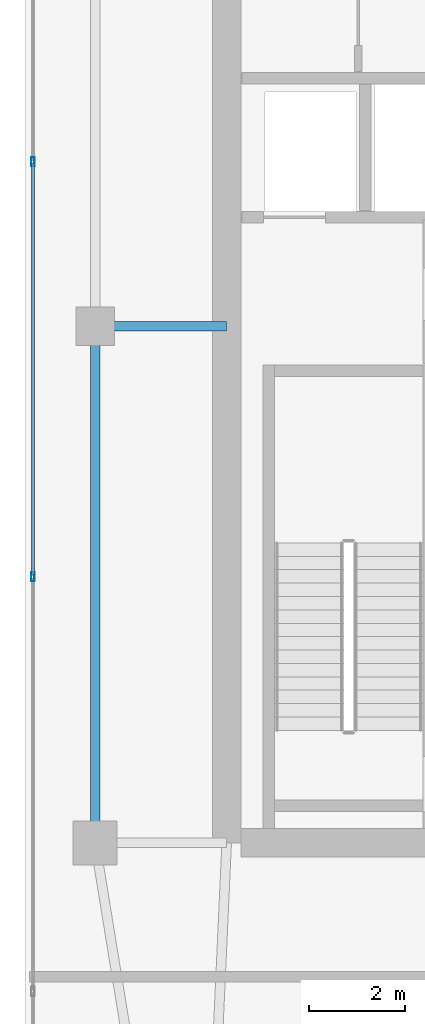
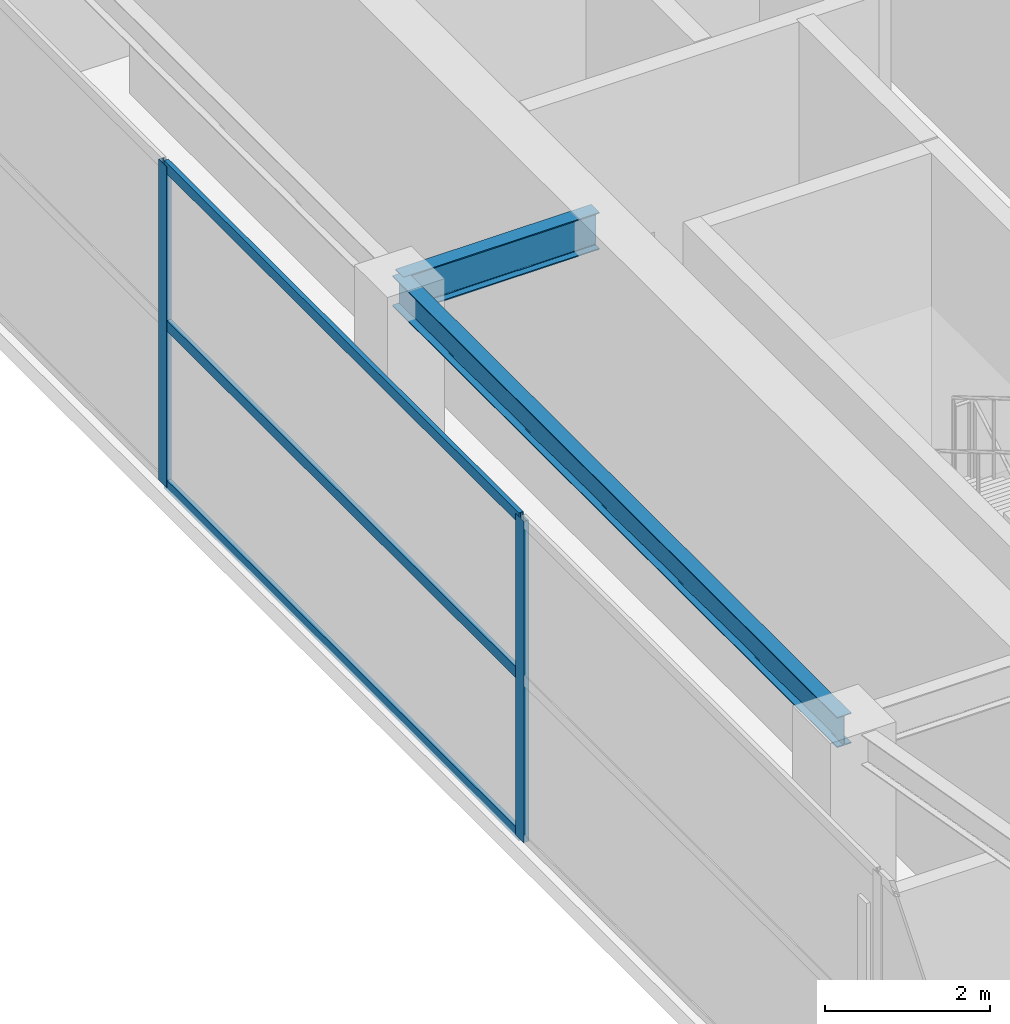
# One storey, part 9 of 20: 5 members, 2 beams, 1 element without a shape of its own.
"""IFC4 building model written with IfcOpenShell, lengths in metres."""

import ifcopenshell
import ifcopenshell.guid

model = None  # the IFC model being written
_history = None  # IfcOwnerHistory: only IFC2X3 demands one
_inside = {}  # id of a spatial element -> (the spatial element, [elements in it])
_under = {}  # id of a project, library or spatial element -> (it, [spatial elements below it])
_declared = {}  # id of a project -> (the project, [libraries it declares])
_typed = {}  # id of a type object -> (the type object, [elements of that type])
_made_of = {}  # id of a material, layer set ... -> (it, [elements and type objects made of it])


def new_model(schema):
    """Start an empty IFC model of exactly this schema.

    Asked for "IFC4X3", IfcOpenShell would pick the latest addendum, in which some entities
    have other attributes; the version numbers below select the first issue.
    IFC2X3 requires an IfcOwnerHistory on every rooted entity: one is made here for all.
    """
    global model, _history
    if schema == "IFC4X3":
        model = ifcopenshell.file(schema_version=(4, 3, 0, 0))
    else:
        model = ifcopenshell.file(schema=schema)
    _inside.clear()
    _under.clear()
    _declared.clear()
    _typed.clear()
    _made_of.clear()
    _history = None
    if model.schema == "IFC2X3":
        org = make("IfcOrganization", Name="unknown")
        user = make(
            "IfcPersonAndOrganization",
            ThePerson=make("IfcPerson", FamilyName="unknown"),
            TheOrganization=org,
        )
        app = make(
            "IfcApplication",
            ApplicationDeveloper=org,
            Version="unknown",
            ApplicationFullName="unknown",
            ApplicationIdentifier="unknown",
        )
        _history = make(
            "IfcOwnerHistory",
            OwningUser=user,
            OwningApplication=app,
            ChangeAction="ADDED",
            CreationDate=0,
        )
    return model


def make(cls, **values):
    """One entity of the class cls with the attributes given. An attribute that is None is left unset."""
    return model.create_entity(
        cls, **{name: value for name, value in values.items() if value is not None}
    )


def rooted(cls, **values):
    """An entity with a GlobalId (a new one), such as an element, a storey or a relation."""
    return make(cls, GlobalId=ifcopenshell.guid.new(), OwnerHistory=_history, **values)


def si_unit(unit_type, name, prefix=None):
    """IfcSIUnit, for example si_unit("LENGTHUNIT", "METRE", prefix="MILLI")."""
    return make("IfcSIUnit", UnitType=unit_type, Prefix=prefix, Name=name)


def assignment(units):
    """IfcUnitAssignment: the units of a project."""
    return None if units is None else make("IfcUnitAssignment", Units=units)


def point(xyz):
    """IfcCartesianPoint."""
    return None if xyz is None else make("IfcCartesianPoint", Coordinates=xyz)


def direction(xyz):
    """IfcDirection."""
    return None if xyz is None else make("IfcDirection", DirectionRatios=xyz)


def frame(location, z_axis=None, x_axis=None):
    """IfcAxis2Placement3D, a coordinate frame: its origin and axes. An axis left out is left unset."""
    return make(
        "IfcAxis2Placement3D",
        Location=point(location),
        Axis=direction(z_axis),
        RefDirection=direction(x_axis),
    )


def frame_2d(location, x_axis=None):
    """IfcAxis2Placement2D, a coordinate frame in the plane: its origin and x axis."""
    return make(
        "IfcAxis2Placement2D", Location=point(location), RefDirection=direction(x_axis)
    )


def origin():
    """The frame at (0, 0, 0) with its axes left unset."""
    return frame((0.0, 0.0, 0.0))


def origin_2d():
    """The frame at (0, 0) in the plane with its x axis left unset."""
    return frame_2d((0.0, 0.0))


def place(relative_to, where):
    """IfcLocalPlacement: puts the frame where relative to a parent placement (None: the world)."""
    return make(
        "IfcLocalPlacement", PlacementRelTo=relative_to, RelativePlacement=where
    )


def context(
    kind, dimensions, precision=None, world=None, true_north=None, identifier=None
):
    """IfcGeometricRepresentationContext, for example the 3D "Model" context."""
    return make(
        "IfcGeometricRepresentationContext",
        ContextIdentifier=identifier,
        ContextType=kind,
        CoordinateSpaceDimension=dimensions,
        Precision=precision,
        WorldCoordinateSystem=world,
        TrueNorth=true_north,
    )


def subcontext(parent, identifier, kind, view, scale=None):
    """IfcGeometricRepresentationSubContext, for example "Body" below "Model"."""
    return make(
        "IfcGeometricRepresentationSubContext",
        ContextIdentifier=identifier,
        ContextType=kind,
        ParentContext=parent,
        TargetScale=scale,
        TargetView=view,
    )


def project(units=None, contexts=None):
    """IfcProject with its units and contexts."""
    return rooted(
        "IfcProject",
        Name="project",
        RepresentationContexts=contexts,
        UnitsInContext=assignment(units),
    )


def spatial(cls, under=None, at=None, **own):
    """A site, building, storey or space (cls), placed at a placement, below another one or the project."""
    s = rooted(cls, ObjectPlacement=at, **own)
    if under is not None:
        _under.setdefault(under.id(), (under, []))[1].append(s)
    return s


def profile(cls, at=None, kind="AREA", **sizes):
    """A parametric profile (cls). Its sizes go by their IFC names, for example OverallWidth=200.0."""
    return make(cls, ProfileType=kind, Position=at, **sizes)


def hollow_rectangle(**sizes):
    """IfcRectangleHollowProfileDef."""
    return profile("IfcRectangleHollowProfileDef", **sizes)


def i_section(**sizes):
    """IfcIShapeProfileDef."""
    return profile("IfcIShapeProfileDef", **sizes)


def extrude(swept, where, along, depth):
    """IfcExtrudedAreaSolid: the profile swept, set in the frame where, extruded along a direction by depth."""
    return make(
        "IfcExtrudedAreaSolid",
        SweptArea=swept,
        Position=where,
        ExtrudedDirection=direction(along),
        Depth=depth,
    )


def shape(context_of_items, identifier, shape_type, items):
    """IfcShapeRepresentation: the items that make up one representation, for example the "Body"."""
    return make(
        "IfcShapeRepresentation",
        ContextOfItems=context_of_items,
        RepresentationIdentifier=identifier,
        RepresentationType=shape_type,
        Items=items,
    )


def material(Name=None, Category=None):
    """IfcMaterial."""
    return make("IfcMaterial", Name=Name, Category=Category)


def layer(
    of_material, thickness, ventilated=None, Name=None, Category=None, Priority=None
):
    """IfcMaterialLayer: one layer of a wall or slab, of a material (None: an air gap)."""
    return make(
        "IfcMaterialLayer",
        Material=of_material,
        LayerThickness=thickness,
        IsVentilated=ventilated,
        Name=Name,
        Category=Category,
        Priority=Priority,
    )


def layer_set(layers, Name=None):
    """IfcMaterialLayerSet."""
    return make("IfcMaterialLayerSet", MaterialLayers=layers, LayerSetName=Name)


def material_profile(
    of_material, cross_section, Name=None, Category=None, Priority=None
):
    """IfcMaterialProfile: a cross section and its material."""
    return make(
        "IfcMaterialProfile",
        Name=Name,
        Material=of_material,
        Profile=cross_section,
        Priority=Priority,
        Category=Category,
    )


def profile_set(profiles, Name=None, composite=None):
    """IfcMaterialProfileSet."""
    return make(
        "IfcMaterialProfileSet",
        Name=Name,
        MaterialProfiles=profiles,
        CompositeProfile=composite,
    )


def made_of(thing, what):
    """Note that an element or type object is made of a material, layer set ...; save() writes the relation."""
    if what is not None:
        _made_of.setdefault(what.id(), (what, []))[1].append(thing)
    return thing


def type_object(cls, material=None, **own):
    """A type object (cls), such as IfcWallType, which elements share."""
    return made_of(rooted(cls, **own), material)


def element(
    cls,
    number,
    at=None,
    inside=None,
    cuts=None,
    type_object=None,
    material=None,
    context=None,
    identifier="Body",
    shape_type=None,
    held_by="IfcProductDefinitionShape",
    body=None,
    shapes=None,
    **own,
):
    """One element of the class cls, such as IfcWall. Its Tag is "e" and its number.

    at: its placement. inside: the storey or other place that contains it. cuts: it is an
    opening in that element (IfcRelVoidsElement). A single representation is given by context,
    identifier, shape_type and body (its items); several are given by shapes. held_by: the class
    of the entity that holds the representations. save() writes the other relations.
    """
    e = rooted(cls, Tag="e%d" % number, ObjectPlacement=at, **own)
    if body is not None:
        shapes = [shape(context, identifier, shape_type, body)]
    if shapes is not None:
        e.Representation = make(held_by, Representations=shapes)
    if inside is not None:
        _inside.setdefault(inside.id(), (inside, []))[1].append(e)
    if cuts is not None:
        rooted(
            "IfcRelVoidsElement", RelatingBuildingElement=cuts, RelatedOpeningElement=e
        )
    if type_object is not None:
        _typed.setdefault(type_object.id(), (type_object, []))[1].append(e)
    return made_of(e, material)


def aggregate(whole, parts):
    """IfcRelAggregates: a whole, such as a stair, and the parts it consists of."""
    return rooted("IfcRelAggregates", RelatingObject=whole, RelatedObjects=parts)


def save(model, path):
    """Write the relations noted so far, then the file.

    IfcRelAggregates (storeys below a building ...), IfcRelContainedInSpatialStructure (elements
    in a storey), IfcRelDefinesByType, IfcRelAssociatesMaterial and IfcRelDeclares: one each for
    every whole, place, type object, material and project.
    """
    for whole, parts in _under.values():
        aggregate(whole, parts)
    for where, things in _inside.values():
        rooted(
            "IfcRelContainedInSpatialStructure",
            RelatedElements=things,
            RelatingStructure=where,
        )
    for kind, things in _typed.values():
        rooted("IfcRelDefinesByType", RelatedObjects=things, RelatingType=kind)
    for what, things in _made_of.values():
        rooted("IfcRelAssociatesMaterial", RelatedObjects=things, RelatingMaterial=what)
    for by, libraries in _declared.values():
        rooted("IfcRelDeclares", RelatingContext=by, RelatedDefinitions=libraries)
    model.write(path)


model = new_model("IFC4")

# Units and contexts
model_context = context("Model", 3, precision=1e-05, world=origin(), true_north=direction((0.0, 1.0)))
body_context = subcontext(model_context, "Body", "Model", "MODEL_VIEW")
ifc_project = project(units=[si_unit("LENGTHUNIT", "METRE"), si_unit("AREAUNIT", "SQUARE_METRE"), si_unit("VOLUMEUNIT", "CUBIC_METRE"), si_unit("PLANEANGLEUNIT", "RADIAN"), si_unit("MASSUNIT", "GRAM", prefix="KILO")], contexts=[model_context])

# Site, building, storey
site_placement = place(None, origin())
site = spatial("IfcSite", under=ifc_project, at=site_placement, CompositionType="ELEMENT")
building_placement = place(site_placement, origin())
building = spatial("IfcBuilding", under=site, at=building_placement, Name="Calvorn Quay Hotel", CompositionType="ELEMENT")
storey_placement = place(building_placement, frame((0.0, 0.0, 335.5)))
storey = spatial("IfcBuildingStorey", under=building, at=storey_placement, Name="L82", CompositionType="ELEMENT", Elevation=335.5)

# Beams
ifc_material_1 = material(Name="Steel Q355B", Category="steel")
ifc_material_profile_1 = material_profile(ifc_material_1, i_section(OverallWidth=0.199951171875, OverallDepth=0.550048828125, WebThickness=0.010009765625, FlangeThickness=0.01611328125, FilletRadius=0.01806640625, at=origin_2d()), Name="HN550x200x10x16")
ifc_profile_set_1 = profile_set([ifc_material_profile_1], Name="Steel Q355B")
beam_type_1 = type_object("IfcBeamType", Name="BM-GIRD-UPP", PredefinedType="BEAM", material=ifc_profile_set_1)
beam_1_placement = place(storey_placement, frame((1.449951171875, 27.60009765625, 4.465087890625), z_axis=(1.0, 0.0, 0.0), x_axis=(0.0, 1.0, 0.0)))
element("IfcBeam", 1, at=beam_1_placement, inside=storey, type_object=beam_type_1, Name="Beam BG-L82-W2", PredefinedType="BEAM", context=body_context, shape_type="SweptSolid", body=[
    extrude(i_section(OverallWidth=0.199951171875, OverallDepth=0.550048828125, WebThickness=0.010009765625, FlangeThickness=0.01611328125, FilletRadius=0.01806640625, at=origin_2d()), origin(), (0.0, 0.0, 1.0), 2.75),
])
ifc_material_2 = material(Name="Steel Q355B", Category="steel")
ifc_material_profile_2 = material_profile(ifc_material_2, i_section(OverallWidth=0.199951171875, OverallDepth=0.449951171875, WebThickness=0.009033203125, FlangeThickness=0.013916015625, FilletRadius=0.01611328125, at=origin_2d()), Name="HN450x200x9x14")
ifc_profile_set_2 = profile_set([ifc_material_profile_2], Name="Steel Q355B")
beam_type_2 = type_object("IfcBeamType", Name="BM-SPANDREL-Z3", PredefinedType="SPANDREL", material=ifc_profile_set_2)
beam_2_placement = place(storey_placement, frame((1.449951171875, 16.800048828125, 4.514892578125), z_axis=(0.0, 1.0, 0.0), x_axis=(-1.0, 0.0, 0.0)))
element("IfcBeam", 2, at=beam_2_placement, inside=storey, type_object=beam_type_2, Name="Beam BSP-L82-W2", PredefinedType="SPANDREL", context=body_context, shape_type="SweptSolid", body=[
    extrude(i_section(OverallWidth=0.199951171875, OverallDepth=0.449951171875, WebThickness=0.009033203125, FlangeThickness=0.013916015625, FilletRadius=0.01611328125, at=origin_2d()), origin(), (0.0, 0.0, 1.0), 10.800048828125),
])

# Curtain wall, members
ifc_material_3 = material(Name="Pale Anodised Aluminium and Laminated Glass", Category="aluminium")
ifc_layer = layer(ifc_material_3, 0.219970703125)
ifc_layer_set = layer_set([ifc_layer], Name="CW-SYS-CRN")
curtain_wall_type = type_object("IfcCurtainWallType", Name="CW-SYS-CRN", PredefinedType="NOTDEFINED", material=ifc_layer_set)
curtain_wall_placement = place(storey_placement, origin())
curtain_wall = element("IfcCurtainWall", 3, at=curtain_wall_placement, inside=storey, type_object=curtain_wall_type, Name="Crown Curtain Wall L82-C5", PredefinedType="NOTDEFINED")
ifc_material_4 = material(Name="Pale Anodised Aluminium 6063-T6", Category="aluminium")
ifc_material_profile_3 = material_profile(ifc_material_4, hollow_rectangle(XDim=0.072021484375, YDim=0.195068359375, WallThickness=0.00390625, at=origin_2d()), Name="ALU-M195x72x4")
ifc_profile_set_3 = profile_set([ifc_material_profile_3], Name="Pale Anodised Aluminium 6063-T6")
member_type_1 = type_object("IfcMemberType", Name="CW-SYS-CRN-MUL", PredefinedType="MULLION", material=ifc_profile_set_3)
member_1_placement = place(storey_placement, frame((0.14990234375, 31.035888671875, 0.0), z_axis=(0.0, 0.0, 1.0), x_axis=(1.0, 0.0, 0.0)))
member_1 = element("IfcMember", 4, at=member_1_placement, type_object=member_type_1, Name="CW-L82-C5 mullion 3", PredefinedType="MULLION", context=body_context, shape_type="SweptSolid", body=[
    extrude(hollow_rectangle(XDim=0.072021484375, YDim=0.195068359375, WallThickness=0.00390625, at=origin_2d()), origin(), (0.0, 0.0, 1.0), 4.760009765625),
])
member_2_placement = place(storey_placement, frame((0.14990234375, 22.364013671875, 0.0), z_axis=(0.0, 0.0, 1.0), x_axis=(1.0, 0.0, 0.0)))
member_2 = element("IfcMember", 5, at=member_2_placement, type_object=member_type_1, Name="CW-L82-C5 mullion 4", PredefinedType="MULLION", context=body_context, shape_type="SweptSolid", body=[
    extrude(hollow_rectangle(XDim=0.072021484375, YDim=0.195068359375, WallThickness=0.00390625, at=origin_2d()), origin(), (0.0, 0.0, 1.0), 4.760009765625),
])
ifc_material_5 = material(Name="Pale Anodised Aluminium 6063-T6", Category="aluminium")
ifc_material_profile_4 = material_profile(ifc_material_5, hollow_rectangle(XDim=0.06201171875, YDim=0.159912109375, WallThickness=0.00341796875, at=origin_2d()), Name="ALU-T160x62x3.5")
ifc_profile_set_4 = profile_set([ifc_material_profile_4], Name="Pale Anodised Aluminium 6063-T6")
member_type_2 = type_object("IfcMemberType", Name="CW-SYS-CRN-TRN", PredefinedType="USERDEFINED", material=ifc_profile_set_4)
member_3_placement = place(storey_placement, frame((0.14990234375, 31.006103515625, 0.030029296875), z_axis=(0.0, -1.0, 0.0), x_axis=(1.0, 0.0, 0.0)))
member_3 = element("IfcMember", 6, at=member_3_placement, type_object=member_type_2, Name="CW-L82-C5 transom 3.1", ObjectType="TRANSOM", PredefinedType="USERDEFINED", context=body_context, shape_type="SweptSolid", body=[
    extrude(hollow_rectangle(XDim=0.06201171875, YDim=0.159912109375, WallThickness=0.00341796875, at=origin_2d()), origin(), (0.0, 0.0, 1.0), 8.612060546875),
])
member_4_placement = place(storey_placement, frame((0.14990234375, 31.006103515625, 2.39990234375), z_axis=(0.0, -1.0, 0.0), x_axis=(1.0, 0.0, 0.0)))
member_4 = element("IfcMember", 7, at=member_4_placement, type_object=member_type_2, Name="CW-L82-C5 transom 3.2", ObjectType="TRANSOM", PredefinedType="USERDEFINED", context=body_context, shape_type="SweptSolid", body=[
    extrude(hollow_rectangle(XDim=0.06201171875, YDim=0.159912109375, WallThickness=0.00341796875, at=origin_2d()), origin(), (0.0, 0.0, 1.0), 8.612060546875),
])
member_5_placement = place(storey_placement, frame((0.14990234375, 31.006103515625, 4.72998046875), z_axis=(0.0, -1.0, 0.0), x_axis=(1.0, 0.0, 0.0)))
member_5 = element("IfcMember", 8, at=member_5_placement, type_object=member_type_2, Name="CW-L82-C5 transom 3.3", ObjectType="TRANSOM", PredefinedType="USERDEFINED", context=body_context, shape_type="SweptSolid", body=[
    extrude(hollow_rectangle(XDim=0.06201171875, YDim=0.159912109375, WallThickness=0.00341796875, at=origin_2d()), origin(), (0.0, 0.0, 1.0), 8.612060546875),
])
aggregate(curtain_wall, [member_1, member_2, member_3, member_4, member_5])

save(model, "model.ifc")
